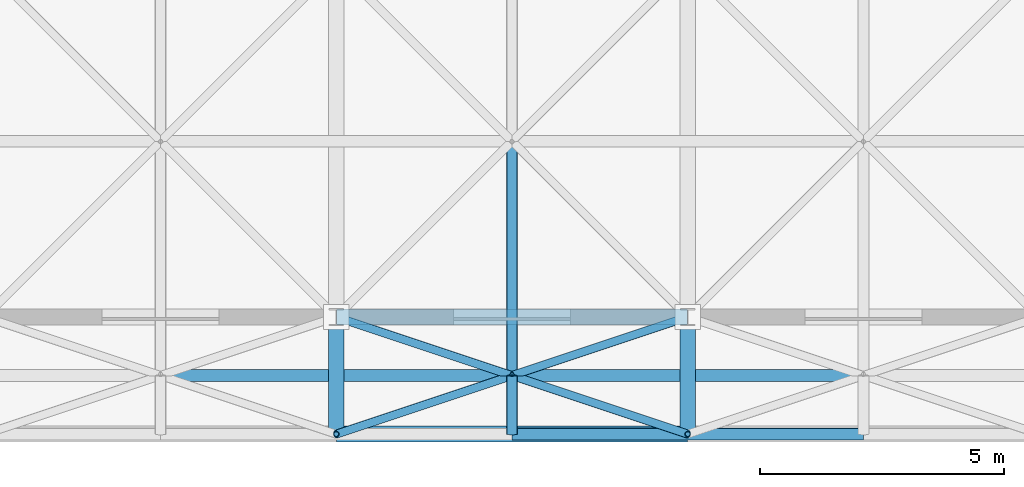
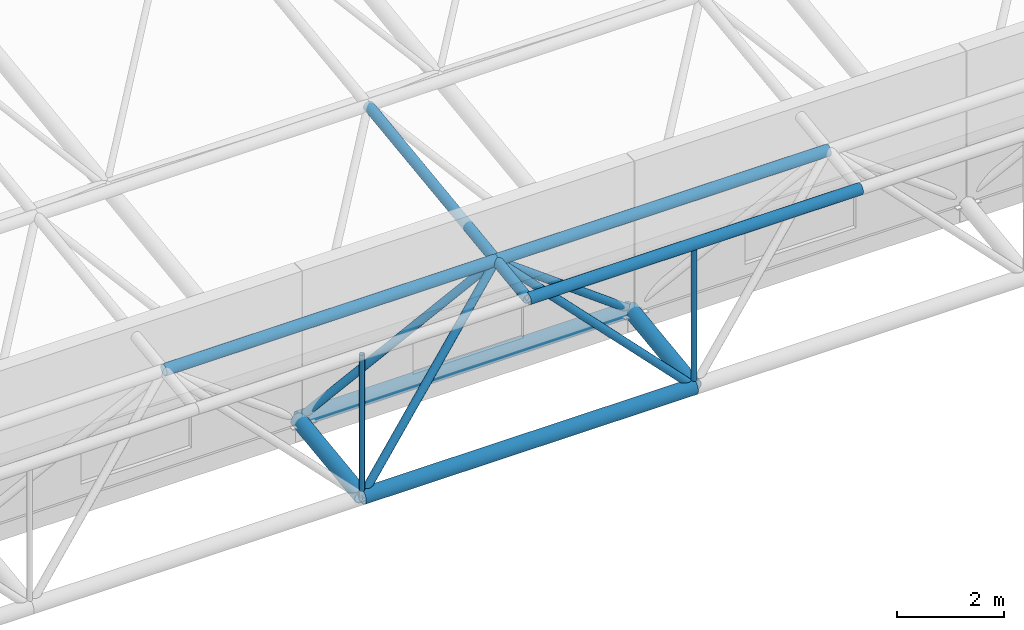
# One storey, part 48 of 103: 15 members.
"""IFC4 building model written with IfcOpenShell, lengths in metres."""

from ifc_helpers import new_model, si_unit, direction, frame, origin, origin_2d, place, context, subcontext, project, spatial, hollow_circle, extrude, material, material_profile, profile_set, type_object, element, save


model = new_model("IFC4")

# Units and contexts
model_context = context("Model", 3, precision=1e-05, world=origin(), true_north=direction((0.0, 1.0)))
body_context = subcontext(model_context, "Body", "Model", "MODEL_VIEW")
ifc_project = project(units=[si_unit("LENGTHUNIT", "METRE"), si_unit("AREAUNIT", "SQUARE_METRE"), si_unit("VOLUMEUNIT", "CUBIC_METRE"), si_unit("PLANEANGLEUNIT", "RADIAN"), si_unit("MASSUNIT", "GRAM", prefix="KILO")], contexts=[model_context])

# Site, building, storey
site_placement = place(None, origin())
site = spatial("IfcSite", under=ifc_project, at=site_placement, CompositionType="ELEMENT")
building_placement = place(site_placement, origin())
building = spatial("IfcBuilding", under=site, at=building_placement, Name="Thalmaran Polytechnic", CompositionType="ELEMENT")
storey_placement = place(building_placement, frame((0.0, 0.0, 14.39990234375)))
storey = spatial("IfcBuildingStorey", under=building, at=storey_placement, Name="L03", CompositionType="ELEMENT", Elevation=14.39990234375)

# Members
ifc_material = material(Name="Steel S355", Category="steel")
ifc_material_profile_1 = material_profile(ifc_material, hollow_circle(Radius=0.161865234375, WallThickness=0.012451171875, at=origin_2d()), Name="CHS 323.9x12.5")
ifc_profile_set_1 = profile_set([ifc_material_profile_1], Name="Steel S355")
member_type_1 = type_object("IfcMemberType", Name="MB-SFC0", PredefinedType="CHORD", material=ifc_profile_set_1)
member_1_placement = place(storey_placement, frame((144.0, 0.0, 0.380126953125), z_axis=(1.0, 0.0, 0.0), x_axis=(0.0, 1.0, 0.0)))
element("IfcMember", 1, at=member_1_placement, inside=storey, type_object=member_type_1, Name="Space-Frame Bottom Chord X (5,1)", PredefinedType="CHORD", context=body_context, shape_type="SweptSolid", body=[
    extrude(hollow_circle(Radius=0.161865234375, WallThickness=0.012451171875, at=origin_2d()), origin(), (0.0, 0.0, 1.0), 7.199951171875),
])
ifc_material_profile_2 = material_profile(ifc_material, hollow_circle(Radius=0.122314453125, WallThickness=0.010009765625, at=origin_2d()), Name="CHS 244.5x10.0")
ifc_profile_set_2 = profile_set([ifc_material_profile_2], Name="Steel S355")
member_type_2 = type_object("IfcMemberType", Name="MB-SFC1", PredefinedType="CHORD", material=ifc_profile_set_2)
member_2_placement = place(storey_placement, frame((140.39990234375, -1.199951171875, 3.4921875), z_axis=(1.0, 0.0, 0.0), x_axis=(0.0, 1.0, 0.0)))
element("IfcMember", 2, at=member_2_placement, inside=storey, type_object=member_type_2, Name="Space-Frame Top Chord X (5,1)", PredefinedType="CHORD", context=body_context, shape_type="SweptSolid", body=[
    extrude(hollow_circle(Radius=0.122314453125, WallThickness=0.010009765625, at=origin_2d()), origin(), (0.0, 0.0, 1.0), 7.2001953125),
])
for number, where, z_axis, x_axis, name in (
    (3, (147.60009765625, -2.39990234375, 3.334228515625), (1.0, 0.0, 0.0), (0.0, 1.0, 0.0), "Space-Frame Top Chord X (6,0)"),
    (4, (147.60009765625, -1.199951171875, 3.4921875), (1.0, 0.0, 0.0), (0.0, 1.0, 0.0), "Space-Frame Top Chord X (6,1)"),
):
    element("IfcMember", number, at=place(storey_placement, frame(where, z_axis=z_axis, x_axis=x_axis)), inside=storey, type_object=member_type_2, Name=name, PredefinedType="CHORD", context=body_context, shape_type="SweptSolid", body=[
        extrude(hollow_circle(Radius=0.122314453125, WallThickness=0.010009765625, at=origin_2d()), origin(), (0.0, 0.0, 1.0), 7.199951171875),
    ])
ifc_material_profile_3 = material_profile(ifc_material, hollow_circle(Radius=0.109619140625, WallThickness=0.010009765625, at=origin_2d()), Name="CHS 219.1x10.0")
ifc_profile_set_3 = profile_set([ifc_material_profile_3], Name="Steel S355")
member_type_3 = type_object("IfcMemberType", Name="MB-SFC2", PredefinedType="CHORD", material=ifc_profile_set_3)
member_3_placement = place(storey_placement, frame((147.60009765625, -2.39990234375, 3.334228515625), z_axis=(0.0, 0.99144674145, 0.130511910828), x_axis=(-1.0, 0.0, 0.0)))
element("IfcMember", 5, at=member_3_placement, inside=storey, type_object=member_type_3, Name="Space-Frame Top Chord Y (6,0)", PredefinedType="CHORD", context=body_context, shape_type="SweptSolid", body=[
    extrude(hollow_circle(Radius=0.109619140625, WallThickness=0.010009765625, at=origin_2d()), origin(), (0.0, 0.0, 1.0), 1.210205078125),
])
member_4_placement = place(storey_placement, frame((147.60009765625, -1.199951171875, 3.4921875), z_axis=(0.0, 0.991447600372, 0.130505385777), x_axis=(-1.0, 0.0, 0.0)))
element("IfcMember", 6, at=member_4_placement, inside=storey, type_object=member_type_3, Name="Space-Frame Top Chord Y (6,1)", PredefinedType="CHORD", context=body_context, shape_type="SweptSolid", body=[
    extrude(hollow_circle(Radius=0.109619140625, WallThickness=0.010009765625, at=origin_2d()), origin(), (0.0, 0.0, 1.0), 4.841552734375),
])
ifc_material_profile_4 = material_profile(ifc_material, hollow_circle(Radius=0.161865234375, WallThickness=0.012451171875, at=origin_2d()), Name="CHS 323.9x12.5")
ifc_profile_set_4 = profile_set([ifc_material_profile_4], Name="Steel S355")
member_type_4 = type_object("IfcMemberType", Name="MB-SFC4", PredefinedType="CHORD", material=ifc_profile_set_4)
member_5_placement = place(storey_placement, frame((144.0, -2.39990234375, 0.064208984375), z_axis=(1.0, 0.0, 0.0), x_axis=(0.0, 1.0, 0.0)))
element("IfcMember", 7, at=member_5_placement, inside=storey, type_object=member_type_4, Name="Space-Frame Bottom Chord X (5,0)", PredefinedType="CHORD", context=body_context, shape_type="SweptSolid", body=[
    extrude(hollow_circle(Radius=0.161865234375, WallThickness=0.012451171875, at=origin_2d()), origin(), (0.0, 0.0, 1.0), 7.199951171875),
])
for number, where, z_axis, x_axis, name in (
    (8, (144.0, -2.39990234375, 0.064208984375), (0.0, 0.99144674145, 0.130511910828), (-1.0, 0.0, 0.0), "Space-Frame Bottom Chord Y (5,0)"),
    (9, (151.199951171875, -2.39990234375, 0.064208984375), (0.0, 0.99144674145, 0.130511910828), (-1.0, 0.0, 0.0), "Space-Frame Bottom Chord Y (6,0)"),
):
    element("IfcMember", number, at=place(storey_placement, frame(where, z_axis=z_axis, x_axis=x_axis)), inside=storey, type_object=member_type_4, Name=name, PredefinedType="CHORD", context=body_context, shape_type="SweptSolid", body=[
        extrude(hollow_circle(Radius=0.161865234375, WallThickness=0.012451171875, at=origin_2d()), origin(), (0.0, 0.0, 1.0), 2.420654296875),
    ])
ifc_material_profile_5 = material_profile(ifc_material, hollow_circle(Radius=0.084228515625, WallThickness=0.008056640625, at=origin_2d()), Name="CHS 168.3x8.0")
ifc_profile_set_5 = profile_set([ifc_material_profile_5], Name="Steel S355")
member_type_5 = type_object("IfcMemberType", Name="MB-SFD1", PredefinedType="BRACE", material=ifc_profile_set_5)
for number, where, z_axis, x_axis, name in (
    (10, (144.0, -2.39990234375, 0.064208984375), (0.703987521352, 0.234646593479, 0.670330176815), (-0.316208465333, 0.948689731394, 0.0), "Space-Frame Web Diagonal (5,0)-1"),
    (11, (151.199951171875, -2.39990234375, 0.064208984375), (-0.703963439546, 0.234654479849, 0.670352706319), (-0.316227766017, -0.948683298051, 0.0), "Space-Frame Web Diagonal (5,0)-2"),
):
    element("IfcMember", number, at=place(storey_placement, frame(where, z_axis=z_axis, x_axis=x_axis)), inside=storey, type_object=member_type_5, Name=name, PredefinedType="BRACE", context=body_context, shape_type="SweptSolid", body=[
        extrude(hollow_circle(Radius=0.084228515625, WallThickness=0.008056640625, at=origin_2d()), origin(), (0.0, 0.0, 1.0), 5.11376953125),
    ])
member_6_placement = place(storey_placement, frame((144.0, 0.0, 0.380126953125), z_axis=(0.733561258825, -0.244503837456, 0.634118090753), x_axis=(0.316208465333, 0.948689731394, 0.0)))
element("IfcMember", 12, at=member_6_placement, inside=storey, type_object=member_type_5, Name="Space-Frame Web Diagonal (5,0)-3", PredefinedType="BRACE", context=body_context, shape_type="SweptSolid", body=[
    extrude(hollow_circle(Radius=0.084228515625, WallThickness=0.008056640625, at=origin_2d()), origin(), (0.0, 0.0, 1.0), 4.90771484375),
])
member_7_placement = place(storey_placement, frame((151.199951171875, 0.0, 0.380126953125), z_axis=(-0.733538280282, -0.244512760094, 0.634141231519), x_axis=(0.316227766017, -0.948683298051, 0.0)))
element("IfcMember", 13, at=member_7_placement, inside=storey, type_object=member_type_5, Name="Space-Frame Web Diagonal (5,0)-4", PredefinedType="BRACE", context=body_context, shape_type="SweptSolid", body=[
    extrude(hollow_circle(Radius=0.084228515625, WallThickness=0.008056640625, at=origin_2d()), origin(), (0.0, 0.0, 1.0), 4.907470703125),
])
ifc_material_profile_6 = material_profile(ifc_material, hollow_circle(Radius=0.05712890625, WallThickness=0.00634765625, at=origin_2d()), Name="CHS 114.3x6.3")
ifc_profile_set_6 = profile_set([ifc_material_profile_6], Name="Steel S355")
member_type_6 = type_object("IfcMemberType", Name="MB-SFD3", PredefinedType="BRACE", material=ifc_profile_set_6)
for number, where, z_axis, x_axis, name in (
    (14, (144.0, -2.39990234375, 0.064208984375), (0.0, 0.0, 1.0), (1.0, 0.0, 0.0), "Space-Frame Eave Post (5,0)"),
    (15, (151.199951171875, -2.39990234375, 0.064208984375), (0.0, 0.0, 1.0), (1.0, 0.0, 0.0), "Space-Frame Eave Post (6,0)"),
):
    element("IfcMember", number, at=place(storey_placement, frame(where, z_axis=z_axis, x_axis=x_axis)), inside=storey, type_object=member_type_6, Name=name, PredefinedType="BRACE", context=body_context, shape_type="SweptSolid", body=[
        extrude(hollow_circle(Radius=0.05712890625, WallThickness=0.00634765625, at=origin_2d()), origin(), (0.0, 0.0, 1.0), 3.27001953125),
    ])

save(model, "model.ifc")
